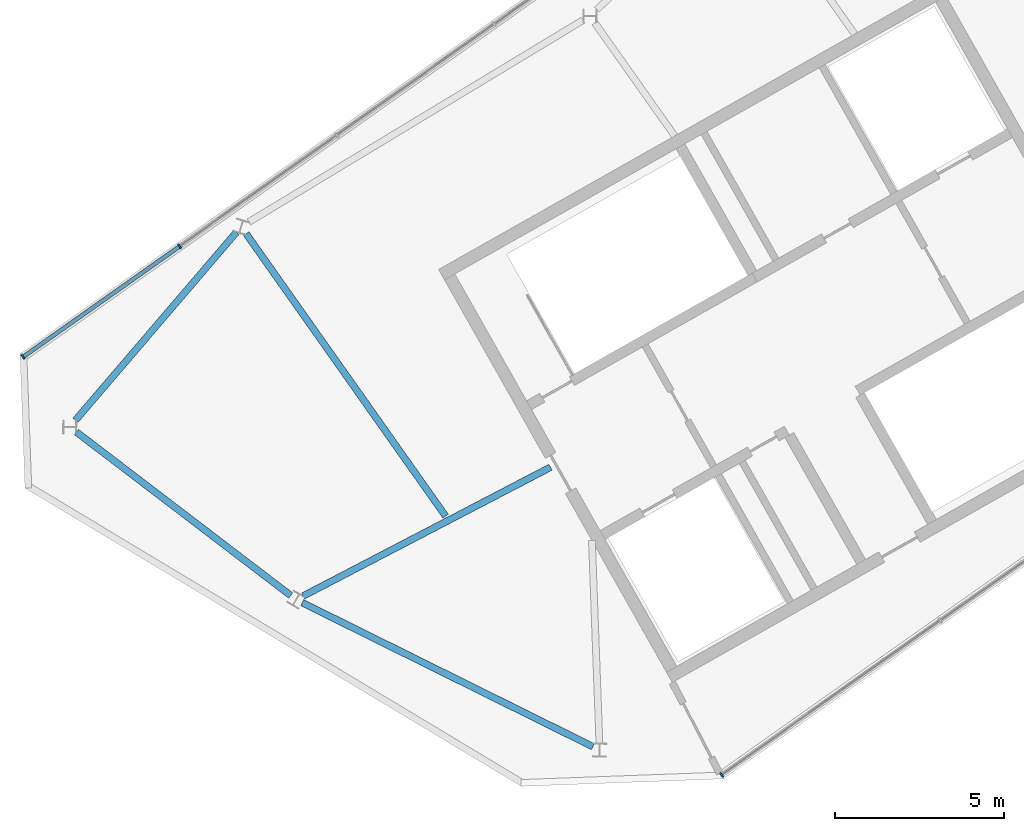
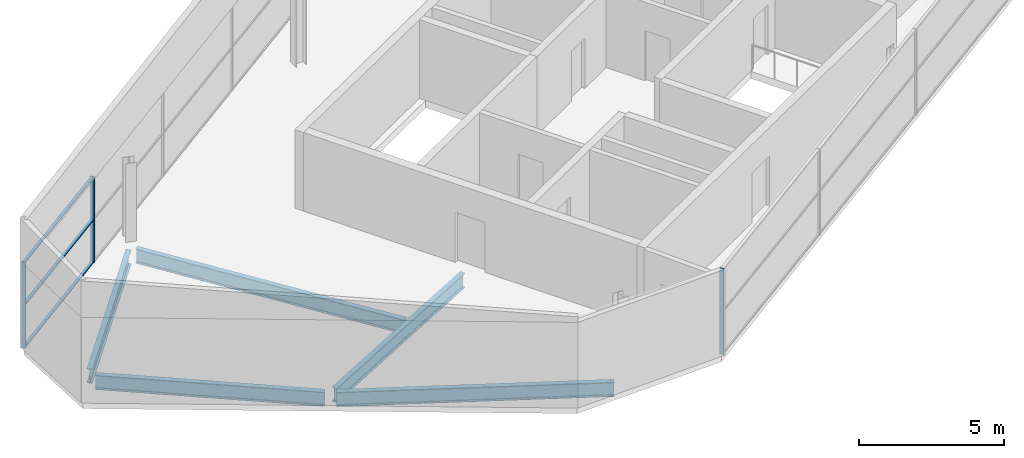
# One storey, part 3 of 10: 6 members, 5 beams, 2 elements without a shape of their own.
"""IFC4 building model written with IfcOpenShell, lengths in metres."""

from ifc_helpers import new_model, si_unit, direction, frame, origin, origin_2d, place, context, subcontext, project, spatial, rectangle, i_section, extrude, material, material_profile, profile_set, type_object, element, aggregate, save


model = new_model("IFC4")

# Units and contexts
model_context = context("Model", 3, precision=1e-05, world=origin(), true_north=direction((0.0, 1.0)))
body_context = subcontext(model_context, "Body", "Model", "MODEL_VIEW")
ifc_project = project(units=[si_unit("LENGTHUNIT", "METRE"), si_unit("AREAUNIT", "SQUARE_METRE"), si_unit("VOLUMEUNIT", "CUBIC_METRE"), si_unit("PLANEANGLEUNIT", "RADIAN"), si_unit("MASSUNIT", "GRAM", prefix="KILO")], contexts=[model_context])

# Site, building, storey
site_placement = place(None, origin())
site = spatial("IfcSite", under=ifc_project, at=site_placement, CompositionType="ELEMENT")
building_placement = place(site_placement, origin())
building = spatial("IfcBuilding", under=site, at=building_placement, Name="Binnacle Exchange Tower", CompositionType="ELEMENT")
storey_placement = place(building_placement, frame((0.0, 0.0, 368.5)))
storey = spatial("IfcBuildingStorey", under=building, at=storey_placement, Name="L85", CompositionType="ELEMENT", Elevation=368.5)

# Curtain wall, members
ifc_material_1 = material(Name="Bronze anodised aluminium frame", Category="aluminium")
curtain_wall_type = type_object("IfcCurtainWallType", Name="External wall - curtain wall crown top", PredefinedType="NOTDEFINED", material=ifc_material_1)
curtain_wall_1_placement = place(storey_placement, origin())
curtain_wall_1 = element("IfcCurtainWall", 1, at=curtain_wall_1_placement, inside=storey, type_object=curtain_wall_type, Name="External wall curtain wall CW6-C303 L85", PredefinedType="NOTDEFINED")
ifc_material_profile_1 = material_profile(ifc_material_1, rectangle(XDim=0.14990234375, YDim=0.050048828125, at=origin_2d()), Name="AL 50x150")
ifc_profile_set_1 = profile_set([ifc_material_profile_1], Name="Bronze anodised aluminium frame")
member_type_1 = type_object("IfcMemberType", Name="CW6 MULLION 50x150", PredefinedType="MULLION", material=ifc_profile_set_1)
member_1_placement = place(storey_placement, frame((-54.24853515625, 42.356201171875, 0.0), z_axis=(0.0, 0.0, 1.0), x_axis=(0.576854127285, -0.816847180221, 0.0)))
member_1 = element("IfcMember", 2, at=member_1_placement, type_object=member_type_1, Name="CW6-C303 mullion 9", PredefinedType="MULLION", context=body_context, shape_type="SweptSolid", body=[
    extrude(rectangle(XDim=0.14990234375, YDim=0.050048828125, at=origin_2d()), origin(), (0.0, 0.0, 1.0), 3.60009765625),
])
member_2_placement = place(storey_placement, frame((-58.86767578125, 39.09423828125, 0.0), z_axis=(0.0, 0.0, 1.0), x_axis=(0.576854127285, -0.816847180221, 0.0)))
member_2 = element("IfcMember", 3, at=member_2_placement, type_object=member_type_1, Name="CW6-C303 mullion 10", PredefinedType="MULLION", context=body_context, shape_type="SweptSolid", body=[
    extrude(rectangle(XDim=0.14990234375, YDim=0.050048828125, at=origin_2d()), origin(), (0.0, 0.0, 1.0), 3.60009765625),
])

# Curtain wall, member
curtain_wall_2_placement = place(storey_placement, origin())
curtain_wall_2 = element("IfcCurtainWall", 4, at=curtain_wall_2_placement, inside=storey, type_object=curtain_wall_type, Name="External wall curtain wall CW6-C307 L85", PredefinedType="NOTDEFINED")
member_3_placement = place(storey_placement, frame((-38.257568359375, 26.76025390625, 0.0), z_axis=(0.0, 0.0, 1.0), x_axis=(-0.576854127285, 0.816847180221, 0.0)))
member_3 = element("IfcMember", 5, at=member_3_placement, type_object=member_type_1, Name="CW6-C307 mullion 1", PredefinedType="MULLION", context=body_context, shape_type="SweptSolid", body=[
    extrude(rectangle(XDim=0.14990234375, YDim=0.050048828125, at=origin_2d()), origin(), (0.0, 0.0, 1.0), 3.60009765625),
])
aggregate(curtain_wall_2, [member_3])

# Member
ifc_material_profile_2 = material_profile(ifc_material_1, rectangle(XDim=0.1201171875, YDim=0.0400390625, at=origin_2d()), Name="AL 120x40")
ifc_profile_set_2 = profile_set([ifc_material_profile_2], Name="Bronze anodised aluminium frame")
member_type_2 = type_object("IfcMemberType", Name="CW6 TRANSOM 40x120", PredefinedType="USERDEFINED", material=ifc_profile_set_2)
member_4_placement = place(storey_placement, frame((-54.26904296875, 42.341796875, 0.02001953125), z_axis=(-0.816838671532, -0.57686617572, 0.0), x_axis=(0.57686617572, -0.816838671532, 0.0)))
member_4 = element("IfcMember", 6, at=member_4_placement, type_object=member_type_2, Name="CW6-C303 transom 9.1", ObjectType="TRANSOM", PredefinedType="USERDEFINED", context=body_context, shape_type="SweptSolid", body=[
    extrude(rectangle(XDim=0.1201171875, YDim=0.0400390625, at=origin_2d()), origin(), (0.0, 0.0, 1.0), 5.604736328125),
])

member_5_placement = place(storey_placement, frame((-54.26904296875, 42.341796875, 1.800048828125), z_axis=(-0.816838671532, -0.57686617572, 0.0), x_axis=(0.57686617572, -0.816838671532, 0.0)))
member_5 = element("IfcMember", 7, at=member_5_placement, type_object=member_type_2, Name="CW6-C303 transom 9.2", ObjectType="TRANSOM", PredefinedType="USERDEFINED", context=body_context, shape_type="SweptSolid", body=[
    extrude(rectangle(XDim=0.1201171875, YDim=0.0400390625, at=origin_2d()), origin(), (0.0, 0.0, 1.0), 5.604736328125),
])

member_6_placement = place(storey_placement, frame((-54.26904296875, 42.341796875, 3.580078125), z_axis=(-0.816838671532, -0.57686617572, 0.0), x_axis=(0.57686617572, -0.816838671532, 0.0)))
member_6 = element("IfcMember", 8, at=member_6_placement, type_object=member_type_2, Name="CW6-C303 transom 9.3", ObjectType="TRANSOM", PredefinedType="USERDEFINED", context=body_context, shape_type="SweptSolid", body=[
    extrude(rectangle(XDim=0.1201171875, YDim=0.0400390625, at=origin_2d()), origin(), (0.0, 0.0, 1.0), 5.604736328125),
])

aggregate(curtain_wall_1, [member_1, member_2, member_4, member_5, member_6])

# Beams
ifc_material_2 = material(Name="Steel S355 (SHN355)", Category="steel")
ifc_material_profile_3 = material_profile(ifc_material_2, i_section(OverallWidth=0.199951171875, OverallDepth=0.60009765625, WebThickness=0.010986328125, FlangeThickness=0.01708984375, FilletRadius=0.02197265625, at=origin_2d()), Name="H 600x200x11x17")
ifc_profile_set_3 = profile_set([ifc_material_profile_3], Name="Steel S355 (SHN355)")
beam_type_1 = type_object("IfcBeamType", Name="Edge girder H 600x200x11x17 Steel S355 (SHN355)", PredefinedType="SPANDREL", material=ifc_profile_set_3)
beam_1_placement = place(storey_placement, frame((-57.294921875, 36.876220703125, -0.60009765625), z_axis=(0.795084866739, -0.606498190173, 0.0), x_axis=(0.606498190173, 0.795084866739, 0.0)))
element("IfcBeam", 9, at=beam_1_placement, inside=storey, type_object=beam_type_1, Name="S:BM:edge:L85:004", PredefinedType="SPANDREL", context=body_context, shape_type="SweptSolid", body=[
    extrude(i_section(OverallWidth=0.199951171875, OverallDepth=0.60009765625, WebThickness=0.010986328125, FlangeThickness=0.01708984375, FilletRadius=0.02197265625, at=origin_2d()), origin(), (0.0, 0.0, 1.0), 7.95263671875),
])
beam_2_placement = place(storey_placement, frame((-52.5771484375, 42.769775390625, -0.60009765625), z_axis=(-0.650317450045, -0.75966256599, 0.0), x_axis=(0.75966256599, -0.650317450045, 0.0)))
element("IfcBeam", 10, at=beam_2_placement, inside=storey, type_object=beam_type_1, Name="S:BM:edge:L85:005", PredefinedType="SPANDREL", context=body_context, shape_type="SweptSolid", body=[
    extrude(i_section(OverallWidth=0.199951171875, OverallDepth=0.60009765625, WebThickness=0.010986328125, FlangeThickness=0.01708984375, FilletRadius=0.02197265625, at=origin_2d()), origin(), (0.0, 0.0, 1.0), 7.298828125),
])
beam_3_placement = place(storey_placement, frame((-50.632080078125, 31.841796875, -0.60009765625), z_axis=(0.8960639995, -0.443924890944, 0.0), x_axis=(0.443924890944, 0.8960639995, 0.0)))
element("IfcBeam", 11, at=beam_3_placement, inside=storey, type_object=beam_type_1, Name="S:BM:edge:L85:006", PredefinedType="SPANDREL", context=body_context, shape_type="SweptSolid", body=[
    extrude(i_section(OverallWidth=0.199951171875, OverallDepth=0.60009765625, WebThickness=0.010986328125, FlangeThickness=0.01708984375, FilletRadius=0.02197265625, at=origin_2d()), origin(), (0.0, 0.0, 1.0), 9.5703125),
])
ifc_material_profile_4 = material_profile(ifc_material_2, i_section(OverallWidth=0.199951171875, OverallDepth=0.60009765625, WebThickness=0.010986328125, FlangeThickness=0.01708984375, FilletRadius=0.02197265625, at=origin_2d()), Name="H 600x200x11x17")
ifc_profile_set_4 = profile_set([ifc_material_profile_4], Name="Steel S355 (SHN355)")
beam_type_2 = type_object("IfcBeamType", Name="Floor beam H 600x200x11x17 Steel S355 (SHN355)", PredefinedType="BEAM", material=ifc_profile_set_4)
beam_4_placement = place(storey_placement, frame((-52.28759765625, 42.72802734375, -0.60009765625), z_axis=(0.576854175987, -0.816847145827, 0.0), x_axis=(0.816847145827, 0.576854175987, 0.0)))
element("IfcBeam", 12, at=beam_4_placement, inside=storey, type_object=beam_type_2, Name="S:BM:cross:L85:011", PredefinedType="BEAM", context=body_context, shape_type="SweptSolid", body=[
    extrude(i_section(OverallWidth=0.199951171875, OverallDepth=0.60009765625, WebThickness=0.010986328125, FlangeThickness=0.01708984375, FilletRadius=0.02197265625, at=origin_2d()), origin(), (0.0, 0.0, 1.0), 10.202392578125),
])
ifc_material_profile_5 = material_profile(ifc_material_2, i_section(OverallWidth=0.199951171875, OverallDepth=0.60009765625, WebThickness=0.010986328125, FlangeThickness=0.01708984375, FilletRadius=0.02197265625, at=origin_2d()), Name="H 600x200x11x17")
ifc_profile_set_5 = profile_set([ifc_material_profile_5], Name="Steel S355 (SHN355)")
beam_type_3 = type_object("IfcBeamType", Name="Spine girder H 600x200x11x17 Steel S355 (SHN355)", PredefinedType="BEAM", material=ifc_profile_set_5)
beam_5_placement = place(storey_placement, frame((-50.60400390625, 32.039306640625, -0.60009765625), z_axis=(0.886982470593, 0.461803093168, 0.0), x_axis=(-0.461803093168, 0.886982470593, 0.0)))
element("IfcBeam", 13, at=beam_5_placement, inside=storey, type_object=beam_type_3, Name="S:BM:spine:L85:001", PredefinedType="BEAM", context=body_context, shape_type="SweptSolid", body=[
    extrude(i_section(OverallWidth=0.199951171875, OverallDepth=0.60009765625, WebThickness=0.010986328125, FlangeThickness=0.01708984375, FilletRadius=0.02197265625, at=origin_2d()), origin(), (0.0, 0.0, 1.0), 8.22607421875),
])

save(model, "model.ifc")
